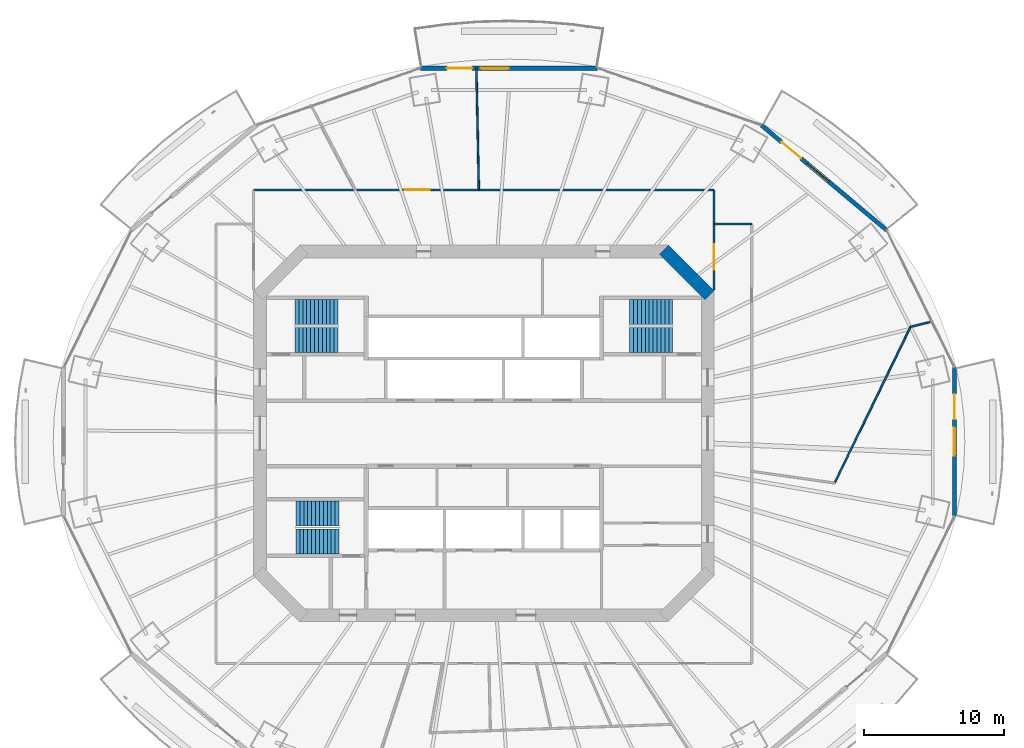
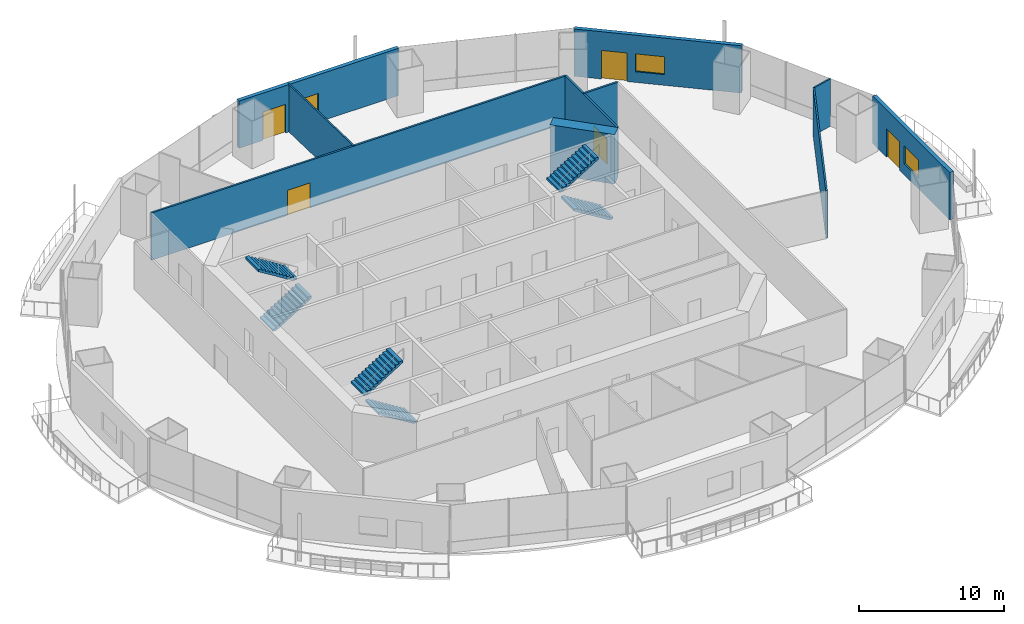
# One storey, part 14 of 20: 10 walls, 6 stair flights, 5 doors, 3 windows, 8 openings, 3 elements without a shape of their own.
"""IFC4 building model written with IfcOpenShell, lengths in metres."""

from ifc_helpers import new_model, si_unit, direction, frame, frame_2d, origin, place, context, subcontext, project, spatial, polyline, rectangle, outline, extrude, material, layer, layer_set, type_object, element, fill, aggregate, save


model = new_model("IFC4")

# Units and contexts
model_context = context("Model", 3, precision=1e-05, world=origin(), true_north=direction((0.0, 1.0)))
body_context = subcontext(model_context, "Body", "Model", "MODEL_VIEW")
ifc_project = project(units=[si_unit("LENGTHUNIT", "METRE"), si_unit("AREAUNIT", "SQUARE_METRE"), si_unit("VOLUMEUNIT", "CUBIC_METRE"), si_unit("PLANEANGLEUNIT", "RADIAN"), si_unit("MASSUNIT", "GRAM", prefix="KILO")], contexts=[model_context])

# Site, building, storey
site_placement = place(None, origin())
site = spatial("IfcSite", under=ifc_project, at=site_placement, CompositionType="ELEMENT")
building_placement = place(site_placement, origin())
building = spatial("IfcBuilding", under=site, at=building_placement, Name="Marenthal Gate Tower", CompositionType="ELEMENT")
storey_placement = place(building_placement, frame((0.0, 0.0, 173.5)))
storey = spatial("IfcBuildingStorey", under=building, at=storey_placement, Name="L37", CompositionType="ELEMENT", Elevation=173.5)

# Walls
ifc_material_1 = material(Name="Concrete 60 MPa", Category="concrete")
ifc_layer_1 = layer(ifc_material_1, 0.89990234375)
ifc_layer_set_1 = layer_set([ifc_layer_1], Name="Core shear wall 900")
wall_type_1 = type_object("IfcWallType", Name="Core shear wall 900", PredefinedType="SHEAR", material=ifc_layer_set_1)
wall_1_placement = place(storey_placement, frame((16.1318359375, 9.8681640625, -0.179931640625), z_axis=(0.0, 0.0, 1.0), x_axis=(-0.707106781187, 0.707106781187, 0.0)))
element("IfcWall", 1, at=wall_1_placement, inside=storey, type_object=wall_type_1, Name="Core wall 03", PredefinedType="SHEAR", context=body_context, shape_type="SweptSolid", body=[
    extrude(rectangle(XDim=4.615478515625, YDim=0.89990234375, at=frame_2d((2.3076171875, 0.0))), origin(), (0.0, 0.0, 1.0), 4.14990234375),
])
ifc_material_2 = material(Name="Gypsum board on steel studs", Category="steel")
ifc_layer_2 = layer(ifc_material_2, 0.1201171875)
ifc_layer_set_2 = layer_set([ifc_layer_2], Name="Partition 120")
wall_type_2 = type_object("IfcWallType", Name="Partition 120", PredefinedType="PARTITIONING", material=ifc_layer_set_2)
wall_2_placement = place(storey_placement, frame((-0.354736328125, 17.408935546875, 0.0), z_axis=(0.0, 0.0, 1.0), x_axis=(-0.020383295859, 0.999792239043, 0.0)))
element("IfcWall", 2, at=wall_2_placement, inside=storey, type_object=wall_type_2, Name="Partition wall 58", PredefinedType="PARTITIONING", context=body_context, shape_type="SweptSolid", body=[
    extrude(rectangle(XDim=8.695556640625, YDim=0.1201171875, at=frame_2d((4.34765625, 0.0))), origin(), (0.0, 0.0, 1.0), 3.969970703125),
])
wall_3_placement = place(storey_placement, frame((25.072998046875, -3.546630859375, 0.0), z_axis=(0.0, 0.0, 1.0), x_axis=(0.437335020704, 0.899298659882, 0.0)))
element("IfcWall", 3, at=wall_3_placement, inside=storey, type_object=wall_type_2, Name="Partition wall 67", PredefinedType="PARTITIONING", context=body_context, shape_type="SweptSolid", body=[
    extrude(rectangle(XDim=12.410888671875, YDim=0.1201171875, at=frame_2d((6.20556640625, 0.0))), origin(), (0.0, 0.0, 1.0), 3.969970703125),
])
wall_4_placement = place(storey_placement, frame((30.500732421875, 7.614501953125, 0.0), z_axis=(0.0, 0.0, 1.0), x_axis=(0.970252935934, 0.242093453672, 0.0)))
element("IfcWall", 4, at=wall_4_placement, inside=storey, type_object=wall_type_2, Name="Partition wall 69", PredefinedType="PARTITIONING", context=body_context, shape_type="SweptSolid", body=[
    extrude(rectangle(XDim=1.55908203125, YDim=0.1201171875, at=frame_2d((0.779541015625, 0.0))), origin(), (0.0, 0.0, 1.0), 3.969970703125),
])

# Wall, opening, door
ifc_material_3 = material(Name="Gypsum board on steel studs", Category="steel")
ifc_layer_3 = layer(ifc_material_3, 0.14990234375)
ifc_layer_set_3 = layer_set([ifc_layer_3], Name="Partition 150")
wall_type_3 = type_object("IfcWallType", Name="Partition 150", PredefinedType="PARTITIONING", material=ifc_layer_set_3)
wall_5_placement = place(storey_placement, frame((-16.449951171875, 17.408935546875, 0.0), z_axis=(0.0, 0.0, 1.0), x_axis=(1.0, 0.0, 0.0)))
wall_5 = element("IfcWall", 5, at=wall_5_placement, inside=storey, type_object=wall_type_3, Name="Partition wall 53", PredefinedType="PARTITIONING", context=body_context, shape_type="SweptSolid", body=[
    extrude(rectangle(XDim=32.89990234375, YDim=0.14990234375, at=frame_2d((16.449951171875, 0.0))), origin(), (0.0, 0.0, 1.0), 3.969970703125),
])
opening_1_placement = place(wall_5_placement, frame((10.7880859375, 0.0, 0.0)))
opening_1 = element("IfcOpeningElement", 6, at=opening_1_placement, cuts=wall_5, Name="Opening D014.01", PredefinedType="OPENING", context=body_context, shape_type="SweptSolid", body=[
    extrude(rectangle(XDim=1.800048828125, YDim=2.10009765625, at=frame_2d((0.89990234375, 1.050048828125))), frame((0.0, 0.0849609375, 0.0), z_axis=(0.0, -1.0, 0.0), x_axis=(1.0, 0.0, 0.0)), (0.0, 0.0, 1.0), 0.169921875),
])
ifc_material_4 = material(Name="Timber door", Category="wood")
door_type_1 = type_object("IfcDoorType", Name="Double door 1800 x 2100", OperationType="DOUBLE_DOOR_SINGLE_SWING", PredefinedType="DOOR", material=ifc_material_4)
door_1_placement = place(opening_1_placement, origin())
door_1 = element("IfcDoor", 7, at=door_1_placement, inside=storey, type_object=door_type_1, Name="Door D014.01", OperationType="DOUBLE_DOOR_SINGLE_SWING", OverallHeight=2.10009765625, OverallWidth=1.800048828125, PredefinedType="DOOR", context=body_context, shape_type="SweptSolid", body=[
    extrude(rectangle(XDim=1.800048828125, YDim=2.10009765625, at=frame_2d((0.89990234375, 1.050048828125))), frame((0.0, 0.02490234375, 0.0), z_axis=(0.0, -1.0, 0.0), x_axis=(1.0, 0.0, 0.0)), (0.0, 0.0, 1.0), 0.050048828125),
])
fill(opening_1, door_1)

wall_6_placement = place(storey_placement, frame((16.449951171875, 10.25, 0.0), z_axis=(0.0, 0.0, 1.0), x_axis=(0.0, 1.0, 0.0)))
wall_6 = element("IfcWall", 8, at=wall_6_placement, inside=storey, type_object=wall_type_3, Name="Partition wall 63", PredefinedType="PARTITIONING", context=body_context, shape_type="SweptSolid", body=[
    extrude(rectangle(XDim=7.158935546875, YDim=0.14990234375, at=frame_2d((3.57958984375, 0.0))), origin(), (0.0, 0.0, 1.0), 3.969970703125),
])
opening_2_placement = place(wall_6_placement, frame((1.451904296875, 0.0, 0.0)))
opening_2 = element("IfcOpeningElement", 9, at=opening_2_placement, cuts=wall_6, Name="Opening D014.05", PredefinedType="OPENING", context=body_context, shape_type="SweptSolid", body=[
    extrude(rectangle(XDim=1.800048828125, YDim=2.10009765625, at=frame_2d((0.89990234375, 1.050048828125))), frame((0.0, 0.0849609375, 0.0), z_axis=(0.0, -1.0, 0.0), x_axis=(1.0, 0.0, 0.0)), (0.0, 0.0, 1.0), 0.169921875),
])
door_2_placement = place(opening_2_placement, origin())
door_2 = element("IfcDoor", 10, at=door_2_placement, inside=storey, type_object=door_type_1, Name="Door D014.05", OperationType="DOUBLE_DOOR_SINGLE_SWING", OverallHeight=2.10009765625, OverallWidth=1.800048828125, PredefinedType="DOOR", context=body_context, shape_type="SweptSolid", body=[
    extrude(rectangle(XDim=1.800048828125, YDim=2.10009765625, at=frame_2d((0.89990234375, 1.050048828125))), frame((0.0, 0.02490234375, 0.0), z_axis=(0.0, -1.0, 0.0), x_axis=(1.0, 0.0, 0.0)), (0.0, 0.0, 1.0), 0.050048828125),
])
fill(opening_2, door_2)

# Wall
wall_7_placement = place(storey_placement, frame((16.449951171875, 14.954833984375, 0.0), z_axis=(0.0, 0.0, 1.0), x_axis=(1.0, 0.0, 0.0)))
element("IfcWall", 11, at=wall_7_placement, inside=storey, type_object=wall_type_3, Name="Partition wall 64", PredefinedType="PARTITIONING", context=body_context, shape_type="SweptSolid", body=[
    extrude(rectangle(XDim=2.699951171875, YDim=0.14990234375, at=frame_2d((1.35009765625, 0.0))), origin(), (0.0, 0.0, 1.0), 3.969970703125),
])

# Wall, openings, door, window
ifc_material_5 = material(Name="Terracotta cladding on insulated concrete-block backing", Category="masonry")
ifc_layer_4 = layer(ifc_material_5, 0.300048828125)
ifc_layer_set_4 = layer_set([ifc_layer_4], Name="Terracotta facade wall 300")
wall_type_4 = type_object("IfcWallType", Name="Terracotta facade wall 300", PredefinedType="SOLIDWALL", material=ifc_layer_set_4)
wall_8_placement = place(storey_placement, frame((28.787109375, 14.52587890625, 0.0), z_axis=(0.0, 0.0, 1.0), x_axis=(-0.766149077679, 0.642662890458, 0.0)))
wall_8 = element("IfcWall", 12, at=wall_8_placement, inside=storey, type_object=wall_type_4, Name="Terracotta facade wall L37 bay 2", PredefinedType="SOLIDWALL", context=body_context, shape_type="SweptSolid", body=[
    extrude(rectangle(XDim=11.6884765625, YDim=0.300048828125, at=frame_2d((5.84423828125, 0.0))), origin(), (0.0, 0.0, 1.0), 3.969970703125),
])
opening_3_placement = place(wall_8_placement, frame((7.98828125, 0.0, 0.0)))
opening_3 = element("IfcOpeningElement", 13, at=opening_3_placement, cuts=wall_8, Name="Opening BD-L37-02", PredefinedType="OPENING", context=body_context, shape_type="SweptSolid", body=[
    extrude(rectangle(XDim=1.800048828125, YDim=2.39990234375, at=frame_2d((0.89990234375, 1.199951171875))), frame((0.0, 0.16015625, 0.0), z_axis=(0.0, -1.0, 0.0), x_axis=(1.0, 0.0, 0.0)), (0.0, 0.0, 1.0), 0.320068359375),
])
opening_4_placement = place(wall_8_placement, frame((5.38818359375, 0.0, 0.89990234375)))
opening_4 = element("IfcOpeningElement", 14, at=opening_4_placement, cuts=wall_8, Name="Opening WN2-L37-02", PredefinedType="OPENING", context=body_context, shape_type="SweptSolid", body=[
    extrude(rectangle(XDim=2.0, YDim=1.5, at=frame_2d((1.0, 0.75))), frame((0.0, 0.16015625, 0.0), z_axis=(0.0, -1.0, 0.0), x_axis=(1.0, 0.0, 0.0)), (0.0, 0.0, 1.0), 0.320068359375),
])
ifc_material_6 = material(Name="Aluminium and glass", Category="aluminium")
door_type_2 = type_object("IfcDoorType", Name="Balcony door 1800x2400", OperationType="DOUBLE_DOOR_SINGLE_SWING", PredefinedType="DOOR", material=ifc_material_6)
door_3_placement = place(opening_3_placement, origin())
door_3 = element("IfcDoor", 15, at=door_3_placement, inside=storey, type_object=door_type_2, Name="Balcony door L37 bay 2", OperationType="SINGLE_SWING_LEFT", OverallHeight=2.39990234375, OverallWidth=1.800048828125, PredefinedType="DOOR", context=body_context, shape_type="SweptSolid", body=[
    extrude(rectangle(XDim=1.800048828125, YDim=2.39990234375, at=frame_2d((0.89990234375, 1.199951171875))), frame((0.0, 0.02490234375, 0.0), z_axis=(0.0, -1.0, 0.0), x_axis=(1.0, 0.0, 0.0)), (0.0, 0.0, 1.0), 0.050048828125),
])
fill(opening_3, door_3)
ifc_material_7 = material(Name="Aluminium and glass", Category="aluminium")
window_type = type_object("IfcWindowType", Name="Window 2000x1500", PartitioningType="DOUBLE_PANEL_VERTICAL", PredefinedType="WINDOW", material=ifc_material_7)
window_1_placement = place(opening_4_placement, origin())
window_1 = element("IfcWindow", 16, at=window_1_placement, inside=storey, type_object=window_type, Name="Window L37 bay 2", OverallHeight=1.5, OverallWidth=2.0, PartitioningType="SINGLE_PANEL", PredefinedType="WINDOW", context=body_context, shape_type="SweptSolid", body=[
    extrude(rectangle(XDim=2.0, YDim=1.5, at=frame_2d((1.0, 0.75))), frame((0.0, 0.030029296875, 0.0), z_axis=(0.0, -1.0, 0.0), x_axis=(1.0, 0.0, 0.0)), (0.0, 0.0, 1.0), 0.06005859375),
])
fill(opening_4, window_1)

wall_9_placement = place(storey_placement, frame((8.132080078125, 26.102783203125, 0.0), z_axis=(0.0, 0.0, 1.0), x_axis=(-1.0, 0.0, 0.0)))
wall_9 = element("IfcWall", 17, at=wall_9_placement, inside=storey, type_object=wall_type_4, Name="Terracotta facade wall L37 bay 4", PredefinedType="SOLIDWALL", context=body_context, shape_type="SweptSolid", body=[
    extrude(rectangle(XDim=12.6640625, YDim=0.300048828125, at=frame_2d((6.33203125, 0.0))), origin(), (0.0, 0.0, 1.0), 3.969970703125),
])
opening_5_placement = place(wall_9_placement, frame((8.964111328125, 0.0, 0.0)))
opening_5 = element("IfcOpeningElement", 18, at=opening_5_placement, cuts=wall_9, Name="Opening BD-L37-04", PredefinedType="OPENING", context=body_context, shape_type="SweptSolid", body=[
    extrude(rectangle(XDim=1.800048828125, YDim=2.39990234375, at=frame_2d((0.89990234375, 1.199951171875))), frame((0.0, 0.16015625, 0.0), z_axis=(0.0, -1.0, 0.0), x_axis=(1.0, 0.0, 0.0)), (0.0, 0.0, 1.0), 0.320068359375),
])
opening_6_placement = place(wall_9_placement, frame((6.364013671875, 0.0, 0.89990234375)))
opening_6 = element("IfcOpeningElement", 19, at=opening_6_placement, cuts=wall_9, Name="Opening WN2-L37-04", PredefinedType="OPENING", context=body_context, shape_type="SweptSolid", body=[
    extrude(rectangle(XDim=2.0, YDim=1.5, at=frame_2d((1.0, 0.75))), frame((0.0, 0.16015625, 0.0), z_axis=(0.0, -1.0, 0.0), x_axis=(1.0, 0.0, 0.0)), (0.0, 0.0, 1.0), 0.320068359375),
])
door_4_placement = place(opening_5_placement, origin())
door_4 = element("IfcDoor", 20, at=door_4_placement, inside=storey, type_object=door_type_2, Name="Balcony door L37 bay 4", OperationType="SINGLE_SWING_LEFT", OverallHeight=2.39990234375, OverallWidth=1.800048828125, PredefinedType="DOOR", context=body_context, shape_type="SweptSolid", body=[
    extrude(rectangle(XDim=1.800048828125, YDim=2.39990234375, at=frame_2d((0.89990234375, 1.199951171875))), frame((0.0, 0.02490234375, 0.0), z_axis=(0.0, -1.0, 0.0), x_axis=(1.0, 0.0, 0.0)), (0.0, 0.0, 1.0), 0.050048828125),
])
fill(opening_5, door_4)
window_2_placement = place(opening_6_placement, origin())
window_2 = element("IfcWindow", 21, at=window_2_placement, inside=storey, type_object=window_type, Name="Window L37 bay 4", OverallHeight=1.5, OverallWidth=2.0, PartitioningType="SINGLE_PANEL", PredefinedType="WINDOW", context=body_context, shape_type="SweptSolid", body=[
    extrude(rectangle(XDim=2.0, YDim=1.5, at=frame_2d((1.0, 0.75))), frame((0.0, 0.030029296875, 0.0), z_axis=(0.0, -1.0, 0.0), x_axis=(1.0, 0.0, 0.0)), (0.0, 0.0, 1.0), 0.06005859375),
])
fill(opening_6, window_2)

wall_10_placement = place(storey_placement, frame((33.63330078125, -5.91162109375, 0.0), z_axis=(0.0, 0.0, 1.0), x_axis=(0.0, 1.0, 0.0)))
wall_10 = element("IfcWall", 22, at=wall_10_placement, inside=storey, type_object=wall_type_4, Name="Terracotta facade wall L37 bay 16", PredefinedType="SOLIDWALL", context=body_context, shape_type="SweptSolid", body=[
    extrude(rectangle(XDim=10.623046875, YDim=0.300048828125, at=frame_2d((5.3115234375, 0.0))), origin(), (0.0, 0.0, 1.0), 3.969970703125),
])
opening_7_placement = place(wall_10_placement, frame((6.923095703125, 0.0, 0.0)))
opening_7 = element("IfcOpeningElement", 23, at=opening_7_placement, cuts=wall_10, Name="Opening BD-L37-16", PredefinedType="OPENING", context=body_context, shape_type="SweptSolid", body=[
    extrude(rectangle(XDim=1.800048828125, YDim=2.39990234375, at=frame_2d((0.89990234375, 1.199951171875))), frame((0.0, 0.16015625, 0.0), z_axis=(0.0, -1.0, 0.0), x_axis=(1.0, 0.0, 0.0)), (0.0, 0.0, 1.0), 0.320068359375),
])
opening_8_placement = place(wall_10_placement, frame((4.322998046875, 0.0, 0.89990234375)))
opening_8 = element("IfcOpeningElement", 24, at=opening_8_placement, cuts=wall_10, Name="Opening WN2-L37-16", PredefinedType="OPENING", context=body_context, shape_type="SweptSolid", body=[
    extrude(rectangle(XDim=2.0, YDim=1.5, at=frame_2d((1.0, 0.75))), frame((0.0, 0.16015625, 0.0), z_axis=(0.0, -1.0, 0.0), x_axis=(1.0, 0.0, 0.0)), (0.0, 0.0, 1.0), 0.320068359375),
])
door_5_placement = place(opening_7_placement, origin())
door_5 = element("IfcDoor", 25, at=door_5_placement, inside=storey, type_object=door_type_2, Name="Balcony door L37 bay 16", OperationType="SINGLE_SWING_LEFT", OverallHeight=2.39990234375, OverallWidth=1.800048828125, PredefinedType="DOOR", context=body_context, shape_type="SweptSolid", body=[
    extrude(rectangle(XDim=1.800048828125, YDim=2.39990234375, at=frame_2d((0.89990234375, 1.199951171875))), frame((0.0, 0.02490234375, 0.0), z_axis=(0.0, -1.0, 0.0), x_axis=(1.0, 0.0, 0.0)), (0.0, 0.0, 1.0), 0.050048828125),
])
fill(opening_7, door_5)
window_3_placement = place(opening_8_placement, origin())
window_3 = element("IfcWindow", 26, at=window_3_placement, inside=storey, type_object=window_type, Name="Window L37 bay 16", OverallHeight=1.5, OverallWidth=2.0, PartitioningType="SINGLE_PANEL", PredefinedType="WINDOW", context=body_context, shape_type="SweptSolid", body=[
    extrude(rectangle(XDim=2.0, YDim=1.5, at=frame_2d((1.0, 0.75))), frame((0.0, 0.030029296875, 0.0), z_axis=(0.0, -1.0, 0.0), x_axis=(1.0, 0.0, 0.0)), (0.0, 0.0, 1.0), 0.06005859375),
])
fill(opening_8, window_3)

# Stair, stair flights
ifc_material_8 = material(Name="Concrete 40 MPa", Category="concrete")
stair_type = type_object("IfcStairType", Name="Exit stair 1800", PredefinedType="HALF_TURN_STAIR", material=ifc_material_8)
stair_1_placement = place(storey_placement, origin())
stair_1 = element("IfcStair", 27, at=stair_1_placement, inside=storey, type_object=stair_type, Name="Stair ST1", PredefinedType="HALF_TURN_STAIR")
ifc_material_9 = material(Name="Concrete 40 MPa", Category="concrete")
stair_flight_type = type_object("IfcStairFlightType", Name="Stair flight 1800", PredefinedType="STRAIGHT", material=ifc_material_9)
stair_flight_1_placement = place(storey_placement, frame((-13.5, 6.675048828125, 0.0), z_axis=(0.0, 0.0, 1.0), x_axis=(1.0, 0.0, 0.0)))
stair_flight_1 = element("IfcStairFlight", 28, at=stair_flight_1_placement, type_object=stair_flight_type, Name="ST1 flight 1", NumberOfRisers=12, NumberOfTreads=11, PredefinedType="STRAIGHT", RiserHeight=0.172916667, TreadLength=0.28, context=body_context, shape_type="SweptSolid", body=[
    extrude(outline(polyline([(0.0, 0.0), (0.0, 0.1728515625), (0.280029296875, 0.1728515625), (0.280029296875, 0.345947265625), (0.56005859375, 0.345947265625), (0.56005859375, 0.518798828125), (0.840087890625, 0.518798828125), (0.840087890625, 0.691650390625), (1.1201171875, 0.691650390625), (1.1201171875, 0.864501953125), (1.39990234375, 0.864501953125), (1.39990234375, 1.03759765625), (1.679931640625, 1.03759765625), (1.679931640625, 1.21044921875), (1.9599609375, 1.21044921875), (1.9599609375, 1.38330078125), (2.239990234375, 1.38330078125), (2.239990234375, 1.55615234375), (2.52001953125, 1.55615234375), (2.52001953125, 1.729248046875), (2.800048828125, 1.729248046875), (2.800048828125, 1.902099609375), (3.080078125, 1.902099609375), (3.080078125, 2.074951171875), (3.080078125, 1.725830078125), (0.285400390625, 0.0), (0.0, 0.0)])), frame((0.0, 0.89990234375, 0.0), z_axis=(0.0, -1.0, 0.0), x_axis=(1.0, 0.0, 0.0)), (0.0, 0.0, 1.0), 1.800048828125),
])
stair_flight_2_placement = place(storey_placement, frame((-10.419921875, 8.675048828125, 2.074951171875), z_axis=(0.0, 0.0, 1.0), x_axis=(-1.0, 0.0, 0.0)))
stair_flight_2 = element("IfcStairFlight", 29, at=stair_flight_2_placement, type_object=stair_flight_type, Name="ST1 flight 2", NumberOfRisers=12, NumberOfTreads=11, PredefinedType="STRAIGHT", RiserHeight=0.172916667, TreadLength=0.28, context=body_context, shape_type="SweptSolid", body=[
    extrude(outline(polyline([(0.0, 0.0), (0.0, 0.1728515625), (0.280029296875, 0.1728515625), (0.280029296875, 0.345947265625), (0.56005859375, 0.345947265625), (0.56005859375, 0.518798828125), (0.840087890625, 0.518798828125), (0.840087890625, 0.691650390625), (1.1201171875, 0.691650390625), (1.1201171875, 0.864501953125), (1.39990234375, 0.864501953125), (1.39990234375, 1.03759765625), (1.679931640625, 1.03759765625), (1.679931640625, 1.21044921875), (1.9599609375, 1.21044921875), (1.9599609375, 1.38330078125), (2.239990234375, 1.38330078125), (2.239990234375, 1.55615234375), (2.52001953125, 1.55615234375), (2.52001953125, 1.729248046875), (2.800048828125, 1.729248046875), (2.800048828125, 1.902099609375), (3.080078125, 1.902099609375), (3.080078125, 2.074951171875), (3.080078125, 1.725830078125), (0.285400390625, 0.0), (0.0, 0.0)])), frame((0.0, 0.89990234375, 0.0), z_axis=(0.0, -1.0, 0.0), x_axis=(1.0, 0.0, 0.0)), (0.0, 0.0, 1.0), 1.800048828125),
])
aggregate(stair_1, [stair_flight_1, stair_flight_2])

stair_2_placement = place(storey_placement, origin())
stair_2 = element("IfcStair", 30, at=stair_2_placement, inside=storey, type_object=stair_type, Name="Stair ST2", PredefinedType="HALF_TURN_STAIR")
stair_flight_3_placement = place(storey_placement, frame((-10.35009765625, -7.72509765625, 0.0), z_axis=(0.0, 0.0, 1.0), x_axis=(-1.0, 0.0, 0.0)))
stair_flight_3 = element("IfcStairFlight", 31, at=stair_flight_3_placement, type_object=stair_flight_type, Name="ST2 flight 1", NumberOfRisers=12, NumberOfTreads=11, PredefinedType="STRAIGHT", RiserHeight=0.172916667, TreadLength=0.28, context=body_context, shape_type="SweptSolid", body=[
    extrude(outline(polyline([(0.0, 0.0), (0.0, 0.1728515625), (0.280029296875, 0.1728515625), (0.280029296875, 0.345947265625), (0.56005859375, 0.345947265625), (0.56005859375, 0.518798828125), (0.840087890625, 0.518798828125), (0.840087890625, 0.691650390625), (1.1201171875, 0.691650390625), (1.1201171875, 0.864501953125), (1.39990234375, 0.864501953125), (1.39990234375, 1.03759765625), (1.679931640625, 1.03759765625), (1.679931640625, 1.21044921875), (1.9599609375, 1.21044921875), (1.9599609375, 1.38330078125), (2.239990234375, 1.38330078125), (2.239990234375, 1.55615234375), (2.52001953125, 1.55615234375), (2.52001953125, 1.729248046875), (2.800048828125, 1.729248046875), (2.800048828125, 1.902099609375), (3.080078125, 1.902099609375), (3.080078125, 2.074951171875), (3.080078125, 1.725830078125), (0.285400390625, 0.0), (0.0, 0.0)])), frame((0.0, 0.89990234375, 0.0), z_axis=(0.0, -1.0, 0.0), x_axis=(1.0, 0.0, 0.0)), (0.0, 0.0, 1.0), 1.800048828125),
])
stair_flight_4_placement = place(storey_placement, frame((-13.429931640625, -5.72509765625, 2.074951171875), z_axis=(0.0, 0.0, 1.0), x_axis=(1.0, 0.0, 0.0)))
stair_flight_4 = element("IfcStairFlight", 32, at=stair_flight_4_placement, type_object=stair_flight_type, Name="ST2 flight 2", NumberOfRisers=12, NumberOfTreads=11, PredefinedType="STRAIGHT", RiserHeight=0.172916667, TreadLength=0.28, context=body_context, shape_type="SweptSolid", body=[
    extrude(outline(polyline([(0.0, 0.0), (0.0, 0.1728515625), (0.280029296875, 0.1728515625), (0.280029296875, 0.345947265625), (0.56005859375, 0.345947265625), (0.56005859375, 0.518798828125), (0.840087890625, 0.518798828125), (0.840087890625, 0.691650390625), (1.1201171875, 0.691650390625), (1.1201171875, 0.864501953125), (1.39990234375, 0.864501953125), (1.39990234375, 1.03759765625), (1.679931640625, 1.03759765625), (1.679931640625, 1.21044921875), (1.9599609375, 1.21044921875), (1.9599609375, 1.38330078125), (2.239990234375, 1.38330078125), (2.239990234375, 1.55615234375), (2.52001953125, 1.55615234375), (2.52001953125, 1.729248046875), (2.800048828125, 1.729248046875), (2.800048828125, 1.902099609375), (3.080078125, 1.902099609375), (3.080078125, 2.074951171875), (3.080078125, 1.725830078125), (0.285400390625, 0.0), (0.0, 0.0)])), frame((0.0, 0.89990234375, 0.0), z_axis=(0.0, -1.0, 0.0), x_axis=(1.0, 0.0, 0.0)), (0.0, 0.0, 1.0), 1.800048828125),
])
aggregate(stair_2, [stair_flight_3, stair_flight_4])

stair_3_placement = place(storey_placement, origin())
stair_3 = element("IfcStair", 33, at=stair_3_placement, inside=storey, type_object=stair_type, Name="Stair ST3", PredefinedType="HALF_TURN_STAIR")
stair_flight_5_placement = place(storey_placement, frame((13.5, 6.675048828125, 0.0), z_axis=(0.0, 0.0, 1.0), x_axis=(-1.0, 0.0, 0.0)))
stair_flight_5 = element("IfcStairFlight", 34, at=stair_flight_5_placement, type_object=stair_flight_type, Name="ST3 flight 1", NumberOfRisers=12, NumberOfTreads=11, PredefinedType="STRAIGHT", RiserHeight=0.172916667, TreadLength=0.28, context=body_context, shape_type="SweptSolid", body=[
    extrude(outline(polyline([(0.0, 0.0), (0.0, 0.1728515625), (0.280029296875, 0.1728515625), (0.280029296875, 0.345947265625), (0.56005859375, 0.345947265625), (0.56005859375, 0.518798828125), (0.840087890625, 0.518798828125), (0.840087890625, 0.691650390625), (1.1201171875, 0.691650390625), (1.1201171875, 0.864501953125), (1.39990234375, 0.864501953125), (1.39990234375, 1.03759765625), (1.679931640625, 1.03759765625), (1.679931640625, 1.21044921875), (1.9599609375, 1.21044921875), (1.9599609375, 1.38330078125), (2.239990234375, 1.38330078125), (2.239990234375, 1.55615234375), (2.52001953125, 1.55615234375), (2.52001953125, 1.729248046875), (2.800048828125, 1.729248046875), (2.800048828125, 1.902099609375), (3.080078125, 1.902099609375), (3.080078125, 2.074951171875), (3.080078125, 1.725830078125), (0.285400390625, 0.0), (0.0, 0.0)])), frame((0.0, 0.89990234375, 0.0), z_axis=(0.0, -1.0, 0.0), x_axis=(1.0, 0.0, 0.0)), (0.0, 0.0, 1.0), 1.800048828125),
])
stair_flight_6_placement = place(storey_placement, frame((10.419921875, 8.675048828125, 2.074951171875), z_axis=(0.0, 0.0, 1.0), x_axis=(1.0, 0.0, 0.0)))
stair_flight_6 = element("IfcStairFlight", 35, at=stair_flight_6_placement, type_object=stair_flight_type, Name="ST3 flight 2", NumberOfRisers=12, NumberOfTreads=11, PredefinedType="STRAIGHT", RiserHeight=0.172916667, TreadLength=0.28, context=body_context, shape_type="SweptSolid", body=[
    extrude(outline(polyline([(0.0, 0.0), (0.0, 0.1728515625), (0.280029296875, 0.1728515625), (0.280029296875, 0.345947265625), (0.56005859375, 0.345947265625), (0.56005859375, 0.518798828125), (0.840087890625, 0.518798828125), (0.840087890625, 0.691650390625), (1.1201171875, 0.691650390625), (1.1201171875, 0.864501953125), (1.39990234375, 0.864501953125), (1.39990234375, 1.03759765625), (1.679931640625, 1.03759765625), (1.679931640625, 1.21044921875), (1.9599609375, 1.21044921875), (1.9599609375, 1.38330078125), (2.239990234375, 1.38330078125), (2.239990234375, 1.55615234375), (2.52001953125, 1.55615234375), (2.52001953125, 1.729248046875), (2.800048828125, 1.729248046875), (2.800048828125, 1.902099609375), (3.080078125, 1.902099609375), (3.080078125, 2.074951171875), (3.080078125, 1.725830078125), (0.285400390625, 0.0), (0.0, 0.0)])), frame((0.0, 0.89990234375, 0.0), z_axis=(0.0, -1.0, 0.0), x_axis=(1.0, 0.0, 0.0)), (0.0, 0.0, 1.0), 1.800048828125),
])
aggregate(stair_3, [stair_flight_5, stair_flight_6])

save(model, "model.ifc")
